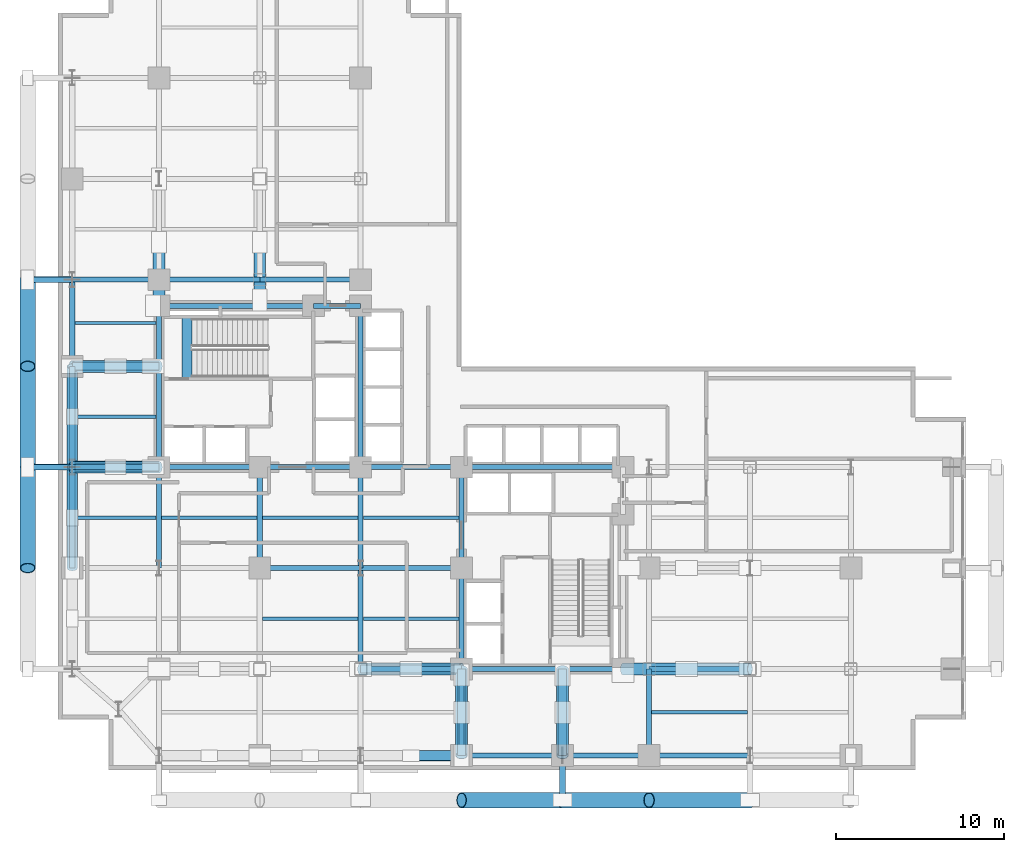
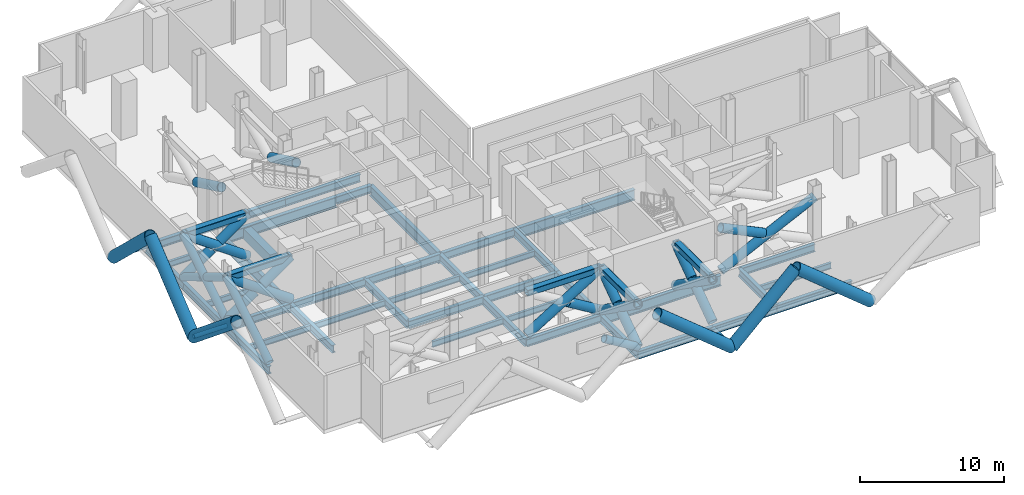
# One storey, part 2 of 10: 41 beams, 38 members.
"""IFC4 building model written with IfcOpenShell, lengths in metres."""

from ifc_helpers import new_model, si_unit, direction, frame, origin, origin_2d, place, context, subcontext, project, spatial, rectangle, hollow_rectangle, hollow_circle, i_section, extrude, material, material_profile, profile_set, type_object, element, save


model = new_model("IFC4")

# Units and contexts
model_context = context("Model", 3, precision=1e-05, world=origin(), true_north=direction((0.0, 1.0)))
body_context = subcontext(model_context, "Body", "Model", "MODEL_VIEW")
ifc_project = project(units=[si_unit("LENGTHUNIT", "METRE"), si_unit("AREAUNIT", "SQUARE_METRE"), si_unit("VOLUMEUNIT", "CUBIC_METRE"), si_unit("PLANEANGLEUNIT", "RADIAN"), si_unit("MASSUNIT", "GRAM", prefix="KILO"), si_unit("THERMODYNAMICTEMPERATUREUNIT", "KELVIN"), si_unit("POWERUNIT", "WATT")], contexts=[model_context])

# Site, building, storey
site_placement = place(None, origin())
site = spatial("IfcSite", under=ifc_project, at=site_placement, CompositionType="ELEMENT")
building_placement = place(site_placement, origin())
building = spatial("IfcBuilding", under=site, at=building_placement, Name="Svarakhadi Broadcast Tower", CompositionType="ELEMENT")
storey_placement = place(building_placement, frame((0.0, 0.0, 94.800048828125)))
storey = spatial("IfcBuildingStorey", under=building, at=storey_placement, Name="L22", CompositionType="ELEMENT", Elevation=94.800048828125)

# Beams
ifc_material_1 = material(Name="Steel S355J2 (IS 2062 E350C)", Category="steel")
ifc_material_profile_1 = material_profile(ifc_material_1, i_section(OverallWidth=0.199951171875, OverallDepth=0.5, WebThickness=0.01025390625, FlangeThickness=0.01611328125, FilletRadius=0.02099609375, at=origin_2d()), Name="NPB 500x200x91")
ifc_profile_set_1 = profile_set([ifc_material_profile_1], Name="Steel S355J2 (IS 2062 E350C)")
beam_type_1 = type_object("IfcBeamType", Name="Beam_NPB500", PredefinedType="BEAM", material=ifc_profile_set_1)
for number, where, z_axis, x_axis, name in (
    (1, (1.010009765625, 15.0, -0.574951171875), (1.0, 0.0, 0.0), (0.0, 1.0, 0.0), "L22 Secondary Composite Beam SB002"),
    (2, (1.010009765625, 21.0, -0.574951171875), (1.0, 0.0, 0.0), (0.0, 1.0, 0.0), "L22 Secondary Composite Beam SB003"),
    (3, (1.010009765625, 26.574951171875, -0.574951171875), (1.0, 0.0, 0.0), (0.0, 1.0, 0.0), "L22 Secondary Composite Beam SB004"),
):
    element("IfcBeam", number, at=place(storey_placement, frame(where, z_axis=z_axis, x_axis=x_axis)), inside=storey, type_object=beam_type_1, Name=name, PredefinedType="BEAM", context=body_context, shape_type="SweptSolid", body=[
        extrude(i_section(OverallWidth=0.199951171875, OverallDepth=0.5, WebThickness=0.01025390625, FlangeThickness=0.01611328125, FilletRadius=0.02099609375, at=origin_2d()), origin(), (0.0, 0.0, 1.0), 4.830078125),
    ])
for number, where, z_axis, x_axis, name in (
    (4, (6.159912109375, 15.0, -0.574951171875), (1.0, 0.0, 0.0), (0.0, 1.0, 0.0), "L22 Secondary Composite Beam SB009"),
    (5, (12.159912109375, 9.0, -0.574951171875), (1.0, 0.0, 0.0), (0.0, 1.0, 0.0), "L22 Secondary Composite Beam SB014"),
    (6, (12.159912109375, 15.0, -0.574951171875), (1.0, 0.0, 0.0), (0.0, 1.0, 0.0), "L22 Secondary Composite Beam SB015"),
    (7, (18.159912109375, 9.0, -0.574951171875), (1.0, 0.0, 0.0), (0.0, 1.0, 0.0), "L22 Secondary Composite Beam SB020"),
    (8, (18.159912109375, 15.0, -0.574951171875), (1.0, 0.0, 0.0), (0.0, 1.0, 0.0), "L22 Secondary Composite Beam SB021"),
):
    element("IfcBeam", number, at=place(storey_placement, frame(where, z_axis=z_axis, x_axis=x_axis)), inside=storey, type_object=beam_type_1, Name=name, PredefinedType="BEAM", context=body_context, shape_type="SweptSolid", body=[
        extrude(i_section(OverallWidth=0.199951171875, OverallDepth=0.5, WebThickness=0.01025390625, FlangeThickness=0.01611328125, FilletRadius=0.02099609375, at=origin_2d()), origin(), (0.0, 0.0, 1.0), 5.68017578125),
    ])
beam_1_placement = place(storey_placement, frame((35.31005859375, 3.425048828125, -0.574951171875), z_axis=(1.0, 0.0, 0.0), x_axis=(0.0, 1.0, 0.0)))
element("IfcBeam", 9, at=beam_1_placement, inside=storey, type_object=beam_type_1, Name="L22 Secondary Composite Beam SB022", PredefinedType="BEAM", context=body_context, shape_type="SweptSolid", body=[
    extrude(i_section(OverallWidth=0.199951171875, OverallDepth=0.5, WebThickness=0.01025390625, FlangeThickness=0.01611328125, FilletRadius=0.02099609375, at=origin_2d()), origin(), (0.0, 0.0, 1.0), 5.679931640625),
])

# Members
ifc_material_2 = material(Name="Steel S460ML (IS 2062 E450BR)", Category="steel")
ifc_material_profile_2 = material_profile(ifc_material_2, hollow_circle(Radius=0.304931640625, WallThickness=0.030029296875, at=origin_2d()), Name="CHS 610x30")
ifc_profile_set_2 = profile_set([ifc_material_profile_2], Name="Steel S460ML (IS 2062 E450BR)")
member_type_1 = type_object("IfcMemberType", Name="Belt_Brace_BT01", PredefinedType="BRACE", material=ifc_profile_set_2)
member_1_placement = place(storey_placement, frame((24.0, 0.85009765625, 0.0), z_axis=(-0.855920466322, 0.0, 0.517107489146), x_axis=(0.0, -1.0, 0.0)))
element("IfcMember", 10, at=member_1_placement, inside=storey, type_object=member_type_1, Name="L22 Perimeter Belt Truss Diagonal BT-03B1", PredefinedType="BRACE", context=body_context, shape_type="SweptSolid", body=[
    extrude(hollow_circle(Radius=0.304931640625, WallThickness=0.030029296875, at=origin_2d()), origin(), (0.0, 0.0, 1.0), 3.2001953125),
])
member_2_placement = place(storey_placement, frame((0.85009765625, 12.0, 0.0), z_axis=(0.0, 0.855915541946, 0.517115639926), x_axis=(-1.0, 0.0, 0.0)))
element("IfcMember", 11, at=member_2_placement, inside=storey, type_object=member_type_1, Name="L22 Perimeter Belt Truss Diagonal BT-05A", PredefinedType="BRACE", context=body_context, shape_type="SweptSolid", body=[
    extrude(hollow_circle(Radius=0.304931640625, WallThickness=0.030029296875, at=origin_2d()), origin(), (0.0, 0.0, 1.0), 7.010009765625),
])
member_3_placement = place(storey_placement, frame((0.85009765625, 18.0, 0.0), z_axis=(0.0, -0.855920466322, 0.517107489146), x_axis=(1.0, 0.0, 0.0)))
element("IfcMember", 12, at=member_3_placement, inside=storey, type_object=member_type_1, Name="L22 Perimeter Belt Truss Diagonal BT-05B1", PredefinedType="BRACE", context=body_context, shape_type="SweptSolid", body=[
    extrude(hollow_circle(Radius=0.304931640625, WallThickness=0.030029296875, at=origin_2d()), origin(), (0.0, 0.0, 1.0), 3.2001953125),
])
member_4_placement = place(storey_placement, frame((0.85009765625, 18.0, 0.0), z_axis=(0.0, 0.855915541946, 0.517115639926), x_axis=(-1.0, 0.0, 0.0)))
element("IfcMember", 13, at=member_4_placement, inside=storey, type_object=member_type_1, Name="L22 Perimeter Belt Truss Diagonal BT-06A", PredefinedType="BRACE", context=body_context, shape_type="SweptSolid", body=[
    extrude(hollow_circle(Radius=0.304931640625, WallThickness=0.030029296875, at=origin_2d()), origin(), (0.0, 0.0, 1.0), 7.010009765625),
])
for number, where, z_axis, x_axis, name in (
    (14, (0.85009765625, 24.0, 0.0), (0.0, -0.855920466322, 0.517107489146), (1.0, 0.0, 0.0), "L22 Perimeter Belt Truss Diagonal BT-06B1"),
    (15, (0.85009765625, 20.739013671875, 1.97021484375), (0.0, -0.855920466322, 0.517107489146), (1.0, 0.0, 0.0), "L22 Perimeter Belt Truss Diagonal BT-06B2"),
):
    element("IfcMember", number, at=place(storey_placement, frame(where, z_axis=z_axis, x_axis=x_axis)), inside=storey, type_object=member_type_1, Name=name, PredefinedType="BRACE", context=body_context, shape_type="SweptSolid", body=[
        extrude(hollow_circle(Radius=0.304931640625, WallThickness=0.030029296875, at=origin_2d()), origin(), (0.0, 0.0, 1.0), 3.2001953125),
    ])

# Beam
ifc_material_3 = material(Name="Concrete C50/60 (IS 456 M60)", Category="concrete")
ifc_material_profile_3 = material_profile(ifc_material_3, rectangle(XDim=0.60009765625, YDim=0.89990234375, at=origin_2d()), Name="RC 600x900")
ifc_profile_set_3 = profile_set([ifc_material_profile_3], Name="Concrete C50/60 (IS 456 M60)")
beam_type_2 = type_object("IfcBeamType", Name="Coupling_RC600", PredefinedType="USERDEFINED", material=ifc_profile_set_3)
beam_2_placement = place(storey_placement, frame((7.679931640625, 23.260009765625, -0.449951171875), z_axis=(0.0, 1.0, 0.0), x_axis=(-1.0, 0.0, 0.0)))
element("IfcBeam", 16, at=beam_2_placement, inside=storey, type_object=beam_type_2, Name="L22 Stair ST-01 Landing Throat Trimmer Beam CB-01", ObjectType="GIRDER", PredefinedType="USERDEFINED", context=body_context, shape_type="SweptSolid", body=[
    extrude(rectangle(XDim=0.60009765625, YDim=0.89990234375, at=origin_2d()), origin(), (0.0, 0.0, 1.0), 3.679931640625),
])

# Members
ifc_material_profile_4 = material_profile(ifc_material_2, hollow_circle(Radius=0.45703125, WallThickness=0.044921875, at=origin_2d()), Name="CHS 914x45")
ifc_profile_set_4 = profile_set([ifc_material_profile_4], Name="Steel S460ML (IS 2062 E450BR)")
member_type_2 = type_object("IfcMemberType", Name="Exo_Brace_CHS914", PredefinedType="BRACE", material=ifc_profile_set_4)
member_5_placement = place(storey_placement, frame((30.0, -1.800048828125, -0.5029296875), z_axis=(-0.773519586462, 0.0, 0.633772395549), x_axis=(0.0, -1.0, 0.0)))
element("IfcMember", 17, at=member_5_placement, inside=storey, type_object=member_type_2, Name="L22 Exposed Bronze Exoskeleton Diagonal S04", PredefinedType="BRACE", context=body_context, shape_type="SweptSolid", body=[
    extrude(hollow_circle(Radius=0.45703125, WallThickness=0.044921875, at=origin_2d()), origin(), (0.0, 0.0, 1.0), 7.7568359375),
])
member_6_placement = place(storey_placement, frame((30.0, -1.800048828125, -0.5029296875), z_axis=(0.723341530885, 0.0, 0.690490426941), x_axis=(0.0, 1.0, 0.0)))
element("IfcMember", 18, at=member_6_placement, inside=storey, type_object=member_type_2, Name="L22 Exposed Bronze Exoskeleton Diagonal S05", PredefinedType="BRACE", context=body_context, shape_type="SweptSolid", body=[
    extrude(hollow_circle(Radius=0.45703125, WallThickness=0.044921875, at=origin_2d()), origin(), (0.0, 0.0, 1.0), 7.11962890625),
])
for number, where, z_axis, x_axis, name in (
    (19, (41.14990234375, -1.800048828125, -0.5029296875), (-0.773519586462, 0.0, 0.633772395549), (0.0, -1.0, 0.0), "L22 Exposed Bronze Exoskeleton Diagonal S06"),
    (20, (-1.800048828125, 18.0, -0.5029296875), (0.0, -0.773519586462, 0.633772395549), (1.0, 0.0, 0.0), "L22 Exposed Bronze Exoskeleton Diagonal W09"),
    (21, (-1.800048828125, 18.0, -0.5029296875), (0.0, 0.773519586462, 0.633772395549), (-1.0, 0.0, 0.0), "L22 Exposed Bronze Exoskeleton Diagonal W10"),
):
    element("IfcMember", number, at=place(storey_placement, frame(where, z_axis=z_axis, x_axis=x_axis)), inside=storey, type_object=member_type_2, Name=name, PredefinedType="BRACE", context=body_context, shape_type="SweptSolid", body=[
        extrude(hollow_circle(Radius=0.45703125, WallThickness=0.044921875, at=origin_2d()), origin(), (0.0, 0.0, 1.0), 7.7568359375),
    ])
member_7_placement = place(storey_placement, frame((-1.800048828125, 29.14990234375, -0.5029296875), z_axis=(0.0, -0.723341530885, 0.690490426941), x_axis=(1.0, 0.0, 0.0)))
element("IfcMember", 22, at=member_7_placement, inside=storey, type_object=member_type_2, Name="L22 Exposed Bronze Exoskeleton Diagonal W11", PredefinedType="BRACE", context=body_context, shape_type="SweptSolid", body=[
    extrude(hollow_circle(Radius=0.45703125, WallThickness=0.044921875, at=origin_2d()), origin(), (0.0, 0.0, 1.0), 7.11962890625),
])
ifc_material_profile_5 = material_profile(ifc_material_2, hollow_circle(Radius=0.177734375, WallThickness=0.02001953125, at=origin_2d()), Name="CHS 355.6x20")
ifc_profile_set_5 = profile_set([ifc_material_profile_5], Name="Steel S460ML (IS 2062 E450BR)")
member_type_3 = type_object("IfcMemberType", Name="Exo_Radial_Strut_Z1", PredefinedType="STRUT", material=ifc_profile_set_5)
for number, where, z_axis, x_axis, name in (
    (23, (30.0, -1.800048828125, -0.5029296875), (0.0, 1.0, 0.0), (-1.0, 0.0, 0.0), "L22 Exoskeleton Radial Tie Strut S03"),
    (24, (-1.800048828125, 18.0, -0.5029296875), (1.0, 0.0, 0.0), (0.0, 1.0, 0.0), "L22 Exoskeleton Radial Tie Strut W06"),
    (25, (-1.800048828125, 29.14990234375, -0.5029296875), (1.0, 0.0, 0.0), (0.0, 1.0, 0.0), "L22 Exoskeleton Radial Tie Strut W07"),
):
    element("IfcMember", number, at=place(storey_placement, frame(where, z_axis=z_axis, x_axis=x_axis)), inside=storey, type_object=member_type_3, Name=name, PredefinedType="STRUT", context=body_context, shape_type="SweptSolid", body=[
        extrude(hollow_circle(Radius=0.177734375, WallThickness=0.02001953125, at=origin_2d()), origin(), (0.0, 0.0, 1.0), 2.650146484375),
    ])

# Beams
ifc_material_profile_6 = material_profile(ifc_material_1, i_section(OverallWidth=0.300048828125, OverallDepth=0.64990234375, WebThickness=0.01611328125, FlangeThickness=0.031005859375, FilletRadius=0.027099609375, at=origin_2d()), Name="WPB 650x300x225")
ifc_profile_set_6 = profile_set([ifc_material_profile_6], Name="Steel S355J2 (IS 2062 E350C)")
beam_type_3 = type_object("IfcBeamType", Name="Girder_WPB650", PredefinedType="USERDEFINED", material=ifc_profile_set_6)
beam_3_placement = place(storey_placement, frame((24.0, 0.85009765625, -0.650146484375), z_axis=(1.0, 0.0, 0.0), x_axis=(0.0, 1.0, 0.0)))
element("IfcBeam", 26, at=beam_3_placement, inside=storey, type_object=beam_type_3, Name="L22 Primary E-W Girder G007", ObjectType="GIRDER", PredefinedType="USERDEFINED", context=body_context, shape_type="SweptSolid", body=[
    extrude(i_section(OverallWidth=0.300048828125, OverallDepth=0.64990234375, WebThickness=0.01611328125, FlangeThickness=0.031005859375, FilletRadius=0.027099609375, at=origin_2d()), origin(), (0.0, 0.0, 1.0), 6.0),
])
beam_4_placement = place(storey_placement, frame((30.0, 0.85009765625, -0.650146484375), z_axis=(1.0, 0.0, 0.0), x_axis=(0.0, 1.0, 0.0)))
element("IfcBeam", 27, at=beam_4_placement, inside=storey, type_object=beam_type_3, Name="L22 Primary E-W Girder G008", ObjectType="GIRDER", PredefinedType="USERDEFINED", context=body_context, shape_type="SweptSolid", body=[
    extrude(i_section(OverallWidth=0.300048828125, OverallDepth=0.64990234375, WebThickness=0.01611328125, FlangeThickness=0.031005859375, FilletRadius=0.027099609375, at=origin_2d()), origin(), (0.0, 0.0, 1.0), 5.14990234375),
])
for number, where, z_axis, x_axis, name in (
    (28, (35.14990234375, 0.85009765625, -0.650146484375), (1.0, 0.0, 0.0), (0.0, 1.0, 0.0), "L22 Primary E-W Girder G009"),
    (29, (18.0, 6.0, -0.650146484375), (1.0, 0.0, 0.0), (0.0, 1.0, 0.0), "L22 Primary E-W Girder G014"),
    (30, (35.14990234375, 6.0, -0.650146484375), (1.0, 0.0, 0.0), (0.0, 1.0, 0.0), "L22 Primary E-W Girder G016"),
    (31, (12.0, 12.0, -0.650146484375), (1.0, 0.0, 0.0), (0.0, 1.0, 0.0), "L22 Primary E-W Girder G021"),
    (32, (18.0, 12.0, -0.650146484375), (1.0, 0.0, 0.0), (0.0, 1.0, 0.0), "L22 Primary E-W Girder G022"),
):
    element("IfcBeam", number, at=place(storey_placement, frame(where, z_axis=z_axis, x_axis=x_axis)), inside=storey, type_object=beam_type_3, Name=name, ObjectType="GIRDER", PredefinedType="USERDEFINED", context=body_context, shape_type="SweptSolid", body=[
        extrude(i_section(OverallWidth=0.300048828125, OverallDepth=0.64990234375, WebThickness=0.01611328125, FlangeThickness=0.031005859375, FilletRadius=0.027099609375, at=origin_2d()), origin(), (0.0, 0.0, 1.0), 6.0),
    ])
beam_5_placement = place(storey_placement, frame((0.85009765625, 18.0, -0.650146484375), z_axis=(1.0, 0.0, 0.0), x_axis=(0.0, 1.0, 0.0)))
element("IfcBeam", 33, at=beam_5_placement, inside=storey, type_object=beam_type_3, Name="L22 Primary E-W Girder G025", ObjectType="GIRDER", PredefinedType="USERDEFINED", context=body_context, shape_type="SweptSolid", body=[
    extrude(i_section(OverallWidth=0.300048828125, OverallDepth=0.64990234375, WebThickness=0.01611328125, FlangeThickness=0.031005859375, FilletRadius=0.027099609375, at=origin_2d()), origin(), (0.0, 0.0, 1.0), 5.14990234375),
])
for number, where, z_axis, x_axis, name in (
    (34, (6.0, 18.0, -0.650146484375), (1.0, 0.0, 0.0), (0.0, 1.0, 0.0), "L22 Primary E-W Girder G026"),
    (35, (12.0, 18.0, -0.650146484375), (1.0, 0.0, 0.0), (0.0, 1.0, 0.0), "L22 Primary E-W Girder G027"),
    (36, (18.0, 18.0, -0.650146484375), (1.0, 0.0, 0.0), (0.0, 1.0, 0.0), "L22 Primary E-W Girder G028"),
):
    element("IfcBeam", number, at=place(storey_placement, frame(where, z_axis=z_axis, x_axis=x_axis)), inside=storey, type_object=beam_type_3, Name=name, ObjectType="GIRDER", PredefinedType="USERDEFINED", context=body_context, shape_type="SweptSolid", body=[
        extrude(i_section(OverallWidth=0.300048828125, OverallDepth=0.64990234375, WebThickness=0.01611328125, FlangeThickness=0.031005859375, FilletRadius=0.027099609375, at=origin_2d()), origin(), (0.0, 0.0, 1.0), 6.0),
    ])
beam_6_placement = place(storey_placement, frame((15.199951171875, 27.60009765625, -0.650146484375), z_axis=(1.0, 0.0, 0.0), x_axis=(0.0, 1.0, 0.0)))
element("IfcBeam", 37, at=beam_6_placement, inside=storey, type_object=beam_type_3, Name="L22 Primary E-W Girder G033", ObjectType="GIRDER", PredefinedType="USERDEFINED", context=body_context, shape_type="SweptSolid", body=[
    extrude(i_section(OverallWidth=0.300048828125, OverallDepth=0.64990234375, WebThickness=0.01611328125, FlangeThickness=0.031005859375, FilletRadius=0.027099609375, at=origin_2d()), origin(), (0.0, 0.0, 1.0), 2.800048828125),
])
beam_7_placement = place(storey_placement, frame((0.85009765625, 29.14990234375, -0.650146484375), z_axis=(1.0, 0.0, 0.0), x_axis=(0.0, 1.0, 0.0)))
element("IfcBeam", 38, at=beam_7_placement, inside=storey, type_object=beam_type_3, Name="L22 Primary E-W Girder G034", ObjectType="GIRDER", PredefinedType="USERDEFINED", context=body_context, shape_type="SweptSolid", body=[
    extrude(i_section(OverallWidth=0.300048828125, OverallDepth=0.64990234375, WebThickness=0.01611328125, FlangeThickness=0.031005859375, FilletRadius=0.027099609375, at=origin_2d()), origin(), (0.0, 0.0, 1.0), 5.14990234375),
])
for number, where, z_axis, x_axis, name in (
    (39, (6.0, 29.14990234375, -0.650146484375), (1.0, 0.0, 0.0), (0.0, 1.0, 0.0), "L22 Primary E-W Girder G035"),
    (40, (12.0, 29.14990234375, -0.650146484375), (1.0, 0.0, 0.0), (0.0, 1.0, 0.0), "L22 Primary E-W Girder G036"),
    (41, (0.85009765625, 12.0, -0.650146484375), (0.0, 1.0, 0.0), (-1.0, 0.0, 0.0), "L22 Primary N-S Girder G046"),
    (42, (0.85009765625, 18.0, -0.650146484375), (0.0, 1.0, 0.0), (-1.0, 0.0, 0.0), "L22 Primary N-S Girder G047"),
):
    element("IfcBeam", number, at=place(storey_placement, frame(where, z_axis=z_axis, x_axis=x_axis)), inside=storey, type_object=beam_type_3, Name=name, ObjectType="GIRDER", PredefinedType="USERDEFINED", context=body_context, shape_type="SweptSolid", body=[
        extrude(i_section(OverallWidth=0.300048828125, OverallDepth=0.64990234375, WebThickness=0.01611328125, FlangeThickness=0.031005859375, FilletRadius=0.027099609375, at=origin_2d()), origin(), (0.0, 0.0, 1.0), 6.0),
    ])
beam_8_placement = place(storey_placement, frame((0.85009765625, 24.0, -0.650146484375), z_axis=(0.0, 1.0, 0.0), x_axis=(-1.0, 0.0, 0.0)))
element("IfcBeam", 43, at=beam_8_placement, inside=storey, type_object=beam_type_3, Name="L22 Primary N-S Girder G048", ObjectType="GIRDER", PredefinedType="USERDEFINED", context=body_context, shape_type="SweptSolid", body=[
    extrude(i_section(OverallWidth=0.300048828125, OverallDepth=0.64990234375, WebThickness=0.01611328125, FlangeThickness=0.031005859375, FilletRadius=0.027099609375, at=origin_2d()), origin(), (0.0, 0.0, 1.0), 5.14990234375),
])
for number, where, z_axis, x_axis, name in (
    (44, (6.0, 12.0, -0.650146484375), (0.0, 1.0, 0.0), (-1.0, 0.0, 0.0), "L22 Primary N-S Girder G053"),
    (45, (12.0, 12.0, -0.650146484375), (0.0, 1.0, 0.0), (-1.0, 0.0, 0.0), "L22 Primary N-S Girder G060"),
    (46, (18.0, 6.0, -0.650146484375), (0.0, 1.0, 0.0), (-1.0, 0.0, 0.0), "L22 Primary N-S Girder G065"),
    (47, (18.0, 12.0, -0.650146484375), (0.0, 1.0, 0.0), (-1.0, 0.0, 0.0), "L22 Primary N-S Girder G066"),
):
    element("IfcBeam", number, at=place(storey_placement, frame(where, z_axis=z_axis, x_axis=x_axis)), inside=storey, type_object=beam_type_3, Name=name, ObjectType="GIRDER", PredefinedType="USERDEFINED", context=body_context, shape_type="SweptSolid", body=[
        extrude(i_section(OverallWidth=0.300048828125, OverallDepth=0.64990234375, WebThickness=0.01611328125, FlangeThickness=0.031005859375, FilletRadius=0.027099609375, at=origin_2d()), origin(), (0.0, 0.0, 1.0), 6.0),
    ])
beam_9_placement = place(storey_placement, frame((24.0, 0.85009765625, -0.650146484375), z_axis=(0.0, 1.0, 0.0), x_axis=(-1.0, 0.0, 0.0)))
element("IfcBeam", 48, at=beam_9_placement, inside=storey, type_object=beam_type_3, Name="L22 Primary N-S Girder G071", ObjectType="GIRDER", PredefinedType="USERDEFINED", context=body_context, shape_type="SweptSolid", body=[
    extrude(i_section(OverallWidth=0.300048828125, OverallDepth=0.64990234375, WebThickness=0.01611328125, FlangeThickness=0.031005859375, FilletRadius=0.027099609375, at=origin_2d()), origin(), (0.0, 0.0, 1.0), 5.14990234375),
])
for number, where, z_axis, x_axis, name in (
    (49, (24.0, 6.0, -0.650146484375), (0.0, 1.0, 0.0), (-1.0, 0.0, 0.0), "L22 Primary N-S Girder G072"),
    (50, (24.0, 12.0, -0.650146484375), (0.0, 1.0, 0.0), (-1.0, 0.0, 0.0), "L22 Primary N-S Girder G073"),
):
    element("IfcBeam", number, at=place(storey_placement, frame(where, z_axis=z_axis, x_axis=x_axis)), inside=storey, type_object=beam_type_3, Name=name, ObjectType="GIRDER", PredefinedType="USERDEFINED", context=body_context, shape_type="SweptSolid", body=[
        extrude(i_section(OverallWidth=0.300048828125, OverallDepth=0.64990234375, WebThickness=0.01611328125, FlangeThickness=0.031005859375, FilletRadius=0.027099609375, at=origin_2d()), origin(), (0.0, 0.0, 1.0), 6.0),
    ])
beam_10_placement = place(storey_placement, frame((35.14990234375, 0.85009765625, -0.650146484375), z_axis=(0.0, 1.0, 0.0), x_axis=(-1.0, 0.0, 0.0)))
element("IfcBeam", 51, at=beam_10_placement, inside=storey, type_object=beam_type_3, Name="L22 Primary N-S Girder G076", ObjectType="GIRDER", PredefinedType="USERDEFINED", context=body_context, shape_type="SweptSolid", body=[
    extrude(i_section(OverallWidth=0.300048828125, OverallDepth=0.64990234375, WebThickness=0.01611328125, FlangeThickness=0.031005859375, FilletRadius=0.027099609375, at=origin_2d()), origin(), (0.0, 0.0, 1.0), 5.14990234375),
])
ifc_material_profile_7 = material_profile(ifc_material_2, i_section(OverallWidth=0.300048828125, OverallDepth=0.89990234375, WebThickness=0.0185546875, FlangeThickness=0.034912109375, FilletRadius=0.030029296875, at=origin_2d()), Name="WPB 900x300x291")
ifc_profile_set_7 = profile_set([ifc_material_profile_7], Name="Steel S460ML (IS 2062 E450BR)")
beam_type_4 = type_object("IfcBeamType", Name="Girder_WPB900", PredefinedType="USERDEFINED", material=ifc_profile_set_7)
for number, where, z_axis, x_axis, name in (
    (52, (24.0, 6.0, -0.775146484375), (1.0, 0.0, 0.0), (0.0, 1.0, 0.0), "L22 Primary E-W Girder G015"),
    (53, (24.0, 18.0, -0.775146484375), (1.0, 0.0, 0.0), (0.0, 1.0, 0.0), "L22 Primary E-W Girder G029"),
):
    element("IfcBeam", number, at=place(storey_placement, frame(where, z_axis=z_axis, x_axis=x_axis)), inside=storey, type_object=beam_type_4, Name=name, ObjectType="GIRDER", PredefinedType="USERDEFINED", context=body_context, shape_type="SweptSolid", body=[
        extrude(i_section(OverallWidth=0.300048828125, OverallDepth=0.89990234375, WebThickness=0.0185546875, FlangeThickness=0.034912109375, FilletRadius=0.030029296875, at=origin_2d()), origin(), (0.0, 0.0, 1.0), 9.60009765625),
    ])
beam_11_placement = place(storey_placement, frame((6.0, 27.60009765625, -0.775146484375), z_axis=(1.0, 0.0, 0.0), x_axis=(0.0, 1.0, 0.0)))
element("IfcBeam", 54, at=beam_11_placement, inside=storey, type_object=beam_type_4, Name="L22 Primary E-W Girder G032", ObjectType="GIRDER", PredefinedType="USERDEFINED", context=body_context, shape_type="SweptSolid", body=[
    extrude(i_section(OverallWidth=0.300048828125, OverallDepth=0.89990234375, WebThickness=0.0185546875, FlangeThickness=0.034912109375, FilletRadius=0.030029296875, at=origin_2d()), origin(), (0.0, 0.0, 1.0), 9.199951171875),
])
for number, where, z_axis, x_axis, name in (
    (55, (6.0, 18.0, -0.775146484375), (0.0, 1.0, 0.0), (-1.0, 0.0, 0.0), "L22 Primary N-S Girder G054"),
    (56, (18.0, 18.0, -0.775146484375), (0.0, 1.0, 0.0), (-1.0, 0.0, 0.0), "L22 Primary N-S Girder G067"),
):
    element("IfcBeam", number, at=place(storey_placement, frame(where, z_axis=z_axis, x_axis=x_axis)), inside=storey, type_object=beam_type_4, Name=name, ObjectType="GIRDER", PredefinedType="USERDEFINED", context=body_context, shape_type="SweptSolid", body=[
        extrude(i_section(OverallWidth=0.300048828125, OverallDepth=0.89990234375, WebThickness=0.0185546875, FlangeThickness=0.034912109375, FilletRadius=0.030029296875, at=origin_2d()), origin(), (0.0, 0.0, 1.0), 9.60009765625),
    ])

# Members
ifc_material_profile_8 = material_profile(ifc_material_2, hollow_circle(Radius=0.35546875, WallThickness=0.034912109375, at=origin_2d()), Name="CHS 711x35")
ifc_profile_set_8 = profile_set([ifc_material_profile_8], Name="Steel S460ML (IS 2062 E450BR)")
member_type_4 = type_object("IfcMemberType", Name="Outrigger_Brace_OT01", PredefinedType="BRACE", material=ifc_profile_set_8)
member_8_placement = place(storey_placement, frame((6.0, 18.0, 0.0), z_axis=(-0.817732081153, 0.0, 0.575599030101), x_axis=(0.0, -1.0, 0.0)))
element("IfcMember", 57, at=member_8_placement, inside=storey, type_object=member_type_4, Name="L22 Core-to-Perimeter Outrigger Truss Diagonal OT-01A", PredefinedType="BRACE", context=body_context, shape_type="SweptSolid", body=[
    extrude(hollow_circle(Radius=0.35546875, WallThickness=0.034912109375, at=origin_2d()), origin(), (0.0, 0.0, 1.0), 6.2978515625),
])
for number, where, z_axis, x_axis, name in (
    (58, (0.85009765625, 18.0, 0.0), (0.817718047065, 0.0, 0.57561896729), (0.0, 1.0, 0.0), "L22 Core-to-Perimeter Outrigger Truss Diagonal OT-01B1"),
    (59, (3.7158203125, 18.0, 2.01708984375), (0.817718047065, 0.0, 0.57561896729), (0.0, 1.0, 0.0), "L22 Core-to-Perimeter Outrigger Truss Diagonal OT-01B2"),
):
    element("IfcMember", number, at=place(storey_placement, frame(where, z_axis=z_axis, x_axis=x_axis)), inside=storey, type_object=member_type_4, Name=name, PredefinedType="BRACE", context=body_context, shape_type="SweptSolid", body=[
        extrude(hollow_circle(Radius=0.35546875, WallThickness=0.034912109375, at=origin_2d()), origin(), (0.0, 0.0, 1.0), 2.79345703125),
    ])
member_9_placement = place(storey_placement, frame((6.0, 24.0, 0.0), z_axis=(-0.817732081153, 0.0, 0.575599030101), x_axis=(0.0, -1.0, 0.0)))
element("IfcMember", 60, at=member_9_placement, inside=storey, type_object=member_type_4, Name="L22 Core-to-Perimeter Outrigger Truss Diagonal OT-02A", PredefinedType="BRACE", context=body_context, shape_type="SweptSolid", body=[
    extrude(hollow_circle(Radius=0.35546875, WallThickness=0.034912109375, at=origin_2d()), origin(), (0.0, 0.0, 1.0), 6.2978515625),
])
for number, where, z_axis, x_axis, name in (
    (61, (0.85009765625, 24.0, 0.0), (0.817718047065, 0.0, 0.57561896729), (0.0, 1.0, 0.0), "L22 Core-to-Perimeter Outrigger Truss Diagonal OT-02B1"),
    (62, (3.7158203125, 24.0, 2.01708984375), (0.817718047065, 0.0, 0.57561896729), (0.0, 1.0, 0.0), "L22 Core-to-Perimeter Outrigger Truss Diagonal OT-02B2"),
):
    element("IfcMember", number, at=place(storey_placement, frame(where, z_axis=z_axis, x_axis=x_axis)), inside=storey, type_object=member_type_4, Name=name, PredefinedType="BRACE", context=body_context, shape_type="SweptSolid", body=[
        extrude(hollow_circle(Radius=0.35546875, WallThickness=0.034912109375, at=origin_2d()), origin(), (0.0, 0.0, 1.0), 2.79345703125),
    ])
for number, where, z_axis, x_axis, name in (
    (63, (6.0, 31.054443359375, 1.96630859375), (0.0, -0.901461407561, 0.432859481446), (1.0, 0.0, 0.0), "L22 Core-to-Perimeter Outrigger Truss Diagonal OT-03B2"),
    (64, (12.0, 31.054443359375, 1.96630859375), (0.0, -0.901461407561, 0.432859481446), (1.0, 0.0, 0.0), "L22 Core-to-Perimeter Outrigger Truss Diagonal OT-04B2"),
):
    element("IfcMember", number, at=place(storey_placement, frame(where, z_axis=z_axis, x_axis=x_axis)), inside=storey, type_object=member_type_4, Name=name, PredefinedType="BRACE", context=body_context, shape_type="SweptSolid", body=[
        extrude(hollow_circle(Radius=0.35546875, WallThickness=0.034912109375, at=origin_2d()), origin(), (0.0, 0.0, 1.0), 3.83203125),
    ])
member_10_placement = place(storey_placement, frame((24.0, 6.0, 0.0), z_axis=(0.0, -0.817732081153, 0.575599030101), x_axis=(1.0, 0.0, 0.0)))
element("IfcMember", 65, at=member_10_placement, inside=storey, type_object=member_type_4, Name="L22 Core-to-Perimeter Outrigger Truss Diagonal OT-05A", PredefinedType="BRACE", context=body_context, shape_type="SweptSolid", body=[
    extrude(hollow_circle(Radius=0.35546875, WallThickness=0.034912109375, at=origin_2d()), origin(), (0.0, 0.0, 1.0), 6.2978515625),
])
for number, where, z_axis, x_axis, name in (
    (66, (24.0, 0.85009765625, 0.0), (0.0, 0.817718047065, 0.57561896729), (-1.0, 0.0, 0.0), "L22 Core-to-Perimeter Outrigger Truss Diagonal OT-05B1"),
    (67, (24.0, 3.7158203125, 2.01708984375), (0.0, 0.817718047065, 0.57561896729), (-1.0, 0.0, 0.0), "L22 Core-to-Perimeter Outrigger Truss Diagonal OT-05B2"),
):
    element("IfcMember", number, at=place(storey_placement, frame(where, z_axis=z_axis, x_axis=x_axis)), inside=storey, type_object=member_type_4, Name=name, PredefinedType="BRACE", context=body_context, shape_type="SweptSolid", body=[
        extrude(hollow_circle(Radius=0.35546875, WallThickness=0.034912109375, at=origin_2d()), origin(), (0.0, 0.0, 1.0), 2.79345703125),
    ])
member_11_placement = place(storey_placement, frame((30.0, 6.0, 0.0), z_axis=(0.0, -0.817732081153, 0.575599030101), x_axis=(1.0, 0.0, 0.0)))
element("IfcMember", 68, at=member_11_placement, inside=storey, type_object=member_type_4, Name="L22 Core-to-Perimeter Outrigger Truss Diagonal OT-06A", PredefinedType="BRACE", context=body_context, shape_type="SweptSolid", body=[
    extrude(hollow_circle(Radius=0.35546875, WallThickness=0.034912109375, at=origin_2d()), origin(), (0.0, 0.0, 1.0), 6.2978515625),
])
for number, where, z_axis, x_axis, name in (
    (69, (30.0, 0.85009765625, 0.0), (0.0, 0.817718047065, 0.57561896729), (-1.0, 0.0, 0.0), "L22 Core-to-Perimeter Outrigger Truss Diagonal OT-06B1"),
    (70, (30.0, 3.7158203125, 2.01708984375), (0.0, 0.817718047065, 0.57561896729), (-1.0, 0.0, 0.0), "L22 Core-to-Perimeter Outrigger Truss Diagonal OT-06B2"),
):
    element("IfcMember", number, at=place(storey_placement, frame(where, z_axis=z_axis, x_axis=x_axis)), inside=storey, type_object=member_type_4, Name=name, PredefinedType="BRACE", context=body_context, shape_type="SweptSolid", body=[
        extrude(hollow_circle(Radius=0.35546875, WallThickness=0.034912109375, at=origin_2d()), origin(), (0.0, 0.0, 1.0), 2.79345703125),
    ])
member_12_placement = place(storey_placement, frame((33.60009765625, 6.0, 0.0), z_axis=(0.901472102936, 0.0, 0.432837206843), x_axis=(0.0, 1.0, 0.0)))
element("IfcMember", 71, at=member_12_placement, inside=storey, type_object=member_type_4, Name="L22 Core-to-Perimeter Outrigger Truss Diagonal OT-07A", PredefinedType="BRACE", context=body_context, shape_type="SweptSolid", body=[
    extrude(hollow_circle(Radius=0.35546875, WallThickness=0.034912109375, at=origin_2d()), origin(), (0.0, 0.0, 1.0), 8.375),
])
member_13_placement = place(storey_placement, frame((37.054443359375, 6.0, 1.96630859375), z_axis=(-0.901461407561, 0.0, 0.432859481446), x_axis=(0.0, -1.0, 0.0)))
element("IfcMember", 72, at=member_13_placement, inside=storey, type_object=member_type_4, Name="L22 Core-to-Perimeter Outrigger Truss Diagonal OT-07B2", PredefinedType="BRACE", context=body_context, shape_type="SweptSolid", body=[
    extrude(hollow_circle(Radius=0.35546875, WallThickness=0.034912109375, at=origin_2d()), origin(), (0.0, 0.0, 1.0), 3.83203125),
])
member_14_placement = place(storey_placement, frame((18.0, 6.0, 0.0), z_axis=(0.855915541946, 0.0, 0.517115639926), x_axis=(0.0, 1.0, 0.0)))
element("IfcMember", 73, at=member_14_placement, inside=storey, type_object=member_type_4, Name="L22 Core-to-Perimeter Outrigger Truss Diagonal OT-09A", PredefinedType="BRACE", context=body_context, shape_type="SweptSolid", body=[
    extrude(hollow_circle(Radius=0.35546875, WallThickness=0.034912109375, at=origin_2d()), origin(), (0.0, 0.0, 1.0), 7.010009765625),
])
member_15_placement = place(storey_placement, frame((24.0, 6.0, 0.0), z_axis=(-0.855922689528, 0.0, 0.517103809259), x_axis=(0.0, -1.0, 0.0)))
element("IfcMember", 74, at=member_15_placement, inside=storey, type_object=member_type_4, Name="L22 Core-to-Perimeter Outrigger Truss Diagonal OT-09B1", PredefinedType="BRACE", context=body_context, shape_type="SweptSolid", body=[
    extrude(hollow_circle(Radius=0.35546875, WallThickness=0.034912109375, at=origin_2d()), origin(), (0.0, 0.0, 1.0), 3.149658203125),
])
ifc_material_profile_9 = material_profile(ifc_material_2, hollow_rectangle(XDim=0.5, YDim=0.5, WallThickness=0.02490234375, InnerFilletRadius=0.02490234375, OuterFilletRadius=0.0400390625, at=origin_2d()), Name="SHS 500x500x25")
ifc_profile_set_9 = profile_set([ifc_material_profile_9], Name="Steel S460ML (IS 2062 E450BR)")
member_type_5 = type_object("IfcMemberType", Name="Outrigger_Truss_Chord", PredefinedType="CHORD", material=ifc_profile_set_9)
for number, where, z_axis, x_axis, name in (
    (75, (6.0, 18.0, 3.625), (-1.0, 0.0, 0.0), (0.0, -1.0, 0.0), "L22 Outrigger Truss Top Chord OC-01"),
    (76, (6.0, 24.0, 3.625), (-1.0, 0.0, 0.0), (0.0, -1.0, 0.0), "L22 Outrigger Truss Top Chord OC-02"),
    (77, (24.0, 6.0, 3.625), (0.0, -1.0, 0.0), (1.0, 0.0, 0.0), "L22 Outrigger Truss Top Chord OC-05"),
    (78, (30.0, 6.0, 3.625), (0.0, -1.0, 0.0), (1.0, 0.0, 0.0), "L22 Outrigger Truss Top Chord OC-06"),
):
    element("IfcMember", number, at=place(storey_placement, frame(where, z_axis=z_axis, x_axis=x_axis)), inside=storey, type_object=member_type_5, Name=name, PredefinedType="CHORD", context=body_context, shape_type="SweptSolid", body=[
        extrude(hollow_rectangle(XDim=0.5, YDim=0.5, WallThickness=0.02490234375, InnerFilletRadius=0.02490234375, OuterFilletRadius=0.0400390625, at=origin_2d()), origin(), (0.0, 0.0, 1.0), 5.14990234375),
    ])
member_16_placement = place(storey_placement, frame((18.0, 6.0, 3.625), z_axis=(1.0, 0.0, 0.0), x_axis=(0.0, 1.0, 0.0)))
element("IfcMember", 79, at=member_16_placement, inside=storey, type_object=member_type_5, Name="L22 Outrigger Truss Top Chord OC-09", PredefinedType="CHORD", context=body_context, shape_type="SweptSolid", body=[
    extrude(hollow_rectangle(XDim=0.5, YDim=0.5, WallThickness=0.02490234375, InnerFilletRadius=0.02490234375, OuterFilletRadius=0.0400390625, at=origin_2d()), origin(), (0.0, 0.0, 1.0), 6.0),
])

save(model, "model.ifc")
